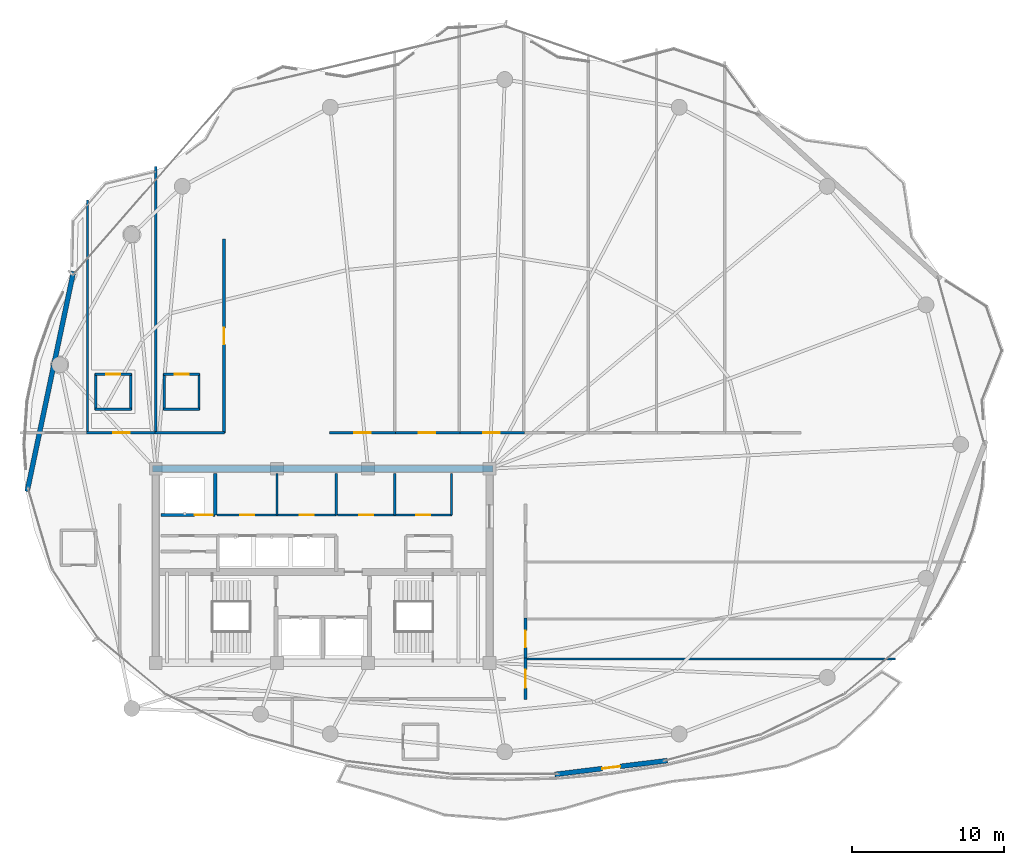
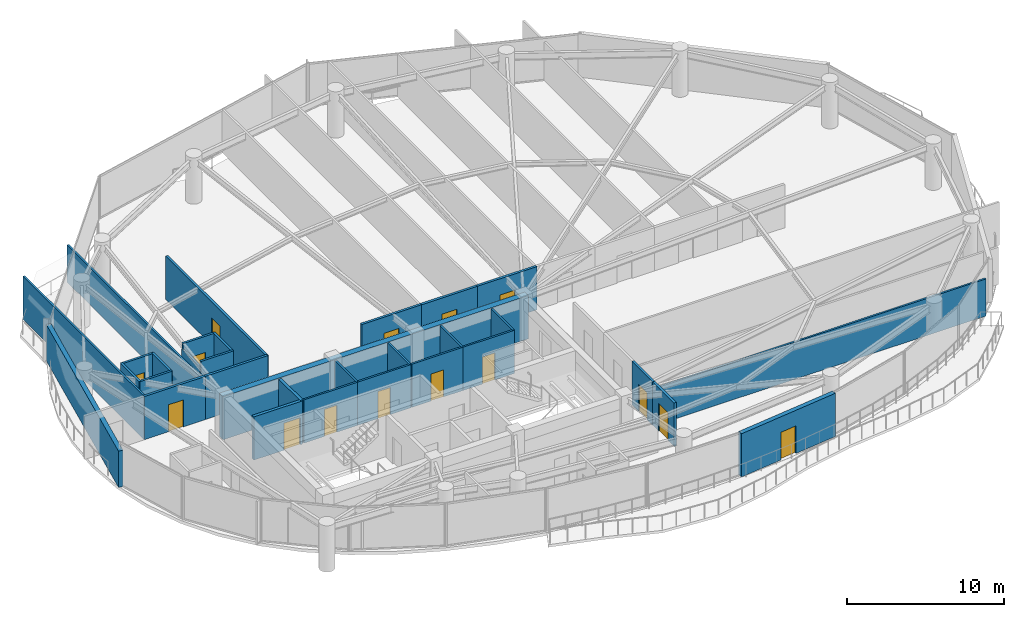
# One storey, part 24 of 29: 32 walls, 15 doors, 15 openings.
"""IFC4 building model written with IfcOpenShell, lengths in metres."""

from ifc_helpers import new_model, si_unit, direction, frame, frame_2d, origin, place, context, subcontext, project, spatial, rectangle, extrude, material, layer, layer_set, type_object, element, fill, save


model = new_model("IFC4")

# Units and contexts
model_context = context("Model", 3, precision=1e-05, world=origin(), true_north=direction((0.0, 1.0)))
body_context = subcontext(model_context, "Body", "Model", "MODEL_VIEW")
ifc_project = project(units=[si_unit("LENGTHUNIT", "METRE"), si_unit("AREAUNIT", "SQUARE_METRE"), si_unit("VOLUMEUNIT", "CUBIC_METRE"), si_unit("PLANEANGLEUNIT", "RADIAN"), si_unit("MASSUNIT", "GRAM", prefix="KILO")], contexts=[model_context])

# Site, building, storey
site_placement = place(None, origin())
site = spatial("IfcSite", under=ifc_project, at=site_placement, CompositionType="ELEMENT")
building_placement = place(site_placement, origin())
building = spatial("IfcBuilding", under=site, at=building_placement, Name="Kazevale Care Tower and Concert Hall", CompositionType="ELEMENT")
storey_placement = place(building_placement, frame((0.0, 0.0, 224.39990234375)))
storey = spatial("IfcBuildingStorey", under=building, at=storey_placement, Name="L59", CompositionType="ELEMENT", Elevation=224.39990234375)

# Wall, opening, door
ifc_material_1 = material(Name="Acoustic Gypsum on Steel Stud", Category="steel")
ifc_layer_1 = layer(ifc_material_1, 0.139892578125)
ifc_layer_set_1 = layer_set([ifc_layer_1], Name="Acoustic Gypsum on Steel Stud")
wall_type_1 = type_object("IfcWallType", Name="Acoustic Care & Suite Partition 140", PredefinedType="PARTITIONING", material=ifc_layer_set_1)
wall_1_placement = place(storey_placement, frame((26.050048828125, 33.35009765625, 0.0), z_axis=(0.0, 0.0, 1.0), x_axis=(1.0, 0.0, 0.0)))
wall_1 = element("IfcWall", 1, at=wall_1_placement, inside=storey, type_object=wall_type_1, Name="wall:L59:c_rpl1_s", PredefinedType="PARTITIONING", context=body_context, shape_type="SweptSolid", body=[
    extrude(rectangle(XDim=3.949951171875, YDim=0.139892578125, at=frame_2d((1.97509765625, 0.0))), origin(), (0.0, 0.0, 1.0), 3.360107421875),
])
opening_1_placement = place(wall_1_placement, frame((1.514892578125, 0.0, 0.0)))
opening_1 = element("IfcOpeningElement", 2, at=opening_1_placement, cuts=wall_1, Name="Opening ID-900", PredefinedType="OPENING", context=body_context, shape_type="SweptSolid", body=[
    extrude(rectangle(XDim=0.919921875, YDim=2.10009765625, at=frame_2d((0.4599609375, 1.050048828125))), frame((0.0, 0.079833984375, 0.0), z_axis=(0.0, -1.0, 0.0), x_axis=(1.0, 0.0, 0.0)), (0.0, 0.0, 1.0), 0.159912109375),
])
ifc_material_2 = material(Name="Oak Timber Fire Leaf", Category="wood")
door_type_1 = type_object("IfcDoorType", Name="Bathroom & Service Door 920x2100", OperationType="NOTDEFINED", PredefinedType="DOOR", material=ifc_material_2)
door_1_placement = place(opening_1_placement, origin())
door_1 = element("IfcDoor", 3, at=door_1_placement, inside=storey, type_object=door_type_1, Name="door:L59:d_rpl1", OperationType="SINGLE_SWING_LEFT", OverallHeight=2.10009765625, OverallWidth=0.919921875, PredefinedType="DOOR", context=body_context, shape_type="SweptSolid", body=[
    extrude(rectangle(XDim=0.919921875, YDim=2.10009765625, at=frame_2d((0.4599609375, 1.050048828125))), frame((0.0, 0.02490234375, 0.0), z_axis=(0.0, -1.0, 0.0), x_axis=(1.0, 0.0, 0.0)), (0.0, 0.0, 1.0), 0.050048828125),
])
fill(opening_1, door_1)

wall_2_placement = place(storey_placement, frame((30.0, 33.35009765625, 0.0), z_axis=(0.0, 0.0, 1.0), x_axis=(1.0, 0.0, 0.0)))
wall_2 = element("IfcWall", 4, at=wall_2_placement, inside=storey, type_object=wall_type_1, Name="wall:L59:c_rpl2_s", PredefinedType="PARTITIONING", context=body_context, shape_type="SweptSolid", body=[
    extrude(rectangle(XDim=3.919921875, YDim=0.139892578125, at=frame_2d((1.9599609375, 0.0))), origin(), (0.0, 0.0, 1.0), 3.360107421875),
])
opening_2_placement = place(wall_2_placement, frame((1.5, 0.0, 0.0)))
opening_2 = element("IfcOpeningElement", 5, at=opening_2_placement, cuts=wall_2, Name="Opening ID-900", PredefinedType="OPENING", context=body_context, shape_type="SweptSolid", body=[
    extrude(rectangle(XDim=0.919921875, YDim=2.10009765625, at=frame_2d((0.4599609375, 1.050048828125))), frame((0.0, 0.079833984375, 0.0), z_axis=(0.0, -1.0, 0.0), x_axis=(1.0, 0.0, 0.0)), (0.0, 0.0, 1.0), 0.159912109375),
])
door_2_placement = place(opening_2_placement, origin())
door_2 = element("IfcDoor", 6, at=door_2_placement, inside=storey, type_object=door_type_1, Name="door:L59:d_rpl2", OperationType="SINGLE_SWING_RIGHT", OverallHeight=2.10009765625, OverallWidth=0.919921875, PredefinedType="DOOR", context=body_context, shape_type="SweptSolid", body=[
    extrude(rectangle(XDim=0.919921875, YDim=2.10009765625, at=frame_2d((0.4599609375, 1.050048828125))), frame((0.0, 0.02490234375, 0.0), z_axis=(0.0, -1.0, 0.0), x_axis=(1.0, 0.0, 0.0)), (0.0, 0.0, 1.0), 0.050048828125),
])
fill(opening_2, door_2)

# Walls
for number, where, z_axis, x_axis, name in (
    (7, (30.0, 33.35009765625, 0.0), (0.0, 0.0, 1.0), (0.0, 1.0, 0.0), "wall:L59:c_rpl_m"),
    (8, (33.89990234375, 33.35009765625, 0.0), (0.0, 0.0, 1.0), (0.0, 1.0, 0.0), "wall:L59:c_rpl_e"),
):
    element("IfcWall", number, at=place(storey_placement, frame(where, z_axis=z_axis, x_axis=x_axis)), inside=storey, type_object=wall_type_1, Name=name, PredefinedType="PARTITIONING", context=body_context, shape_type="SweptSolid", body=[
        extrude(rectangle(XDim=2.75, YDim=0.139892578125, at=frame_2d((1.375, 0.0))), origin(), (0.0, 0.0, 1.0), 3.360107421875),
    ])

# Wall, opening, door
wall_3_placement = place(storey_placement, frame((33.97998046875, 33.35009765625, 0.0), z_axis=(0.0, 0.0, 1.0), x_axis=(1.0, 0.0, 0.0)))
wall_3 = element("IfcWall", 9, at=wall_3_placement, inside=storey, type_object=wall_type_1, Name="wall:L59:c_rpm1_s", PredefinedType="PARTITIONING", context=body_context, shape_type="SweptSolid", body=[
    extrude(rectangle(XDim=3.77001953125, YDim=0.139892578125, at=frame_2d((1.885009765625, 0.0))), origin(), (0.0, 0.0, 1.0), 3.360107421875),
])
opening_3_placement = place(wall_3_placement, frame((1.425048828125, 0.0, 0.0)))
opening_3 = element("IfcOpeningElement", 10, at=opening_3_placement, cuts=wall_3, Name="Opening ID-900", PredefinedType="OPENING", context=body_context, shape_type="SweptSolid", body=[
    extrude(rectangle(XDim=0.919921875, YDim=2.10009765625, at=frame_2d((0.4599609375, 1.050048828125))), frame((0.0, 0.079833984375, 0.0), z_axis=(0.0, -1.0, 0.0), x_axis=(1.0, 0.0, 0.0)), (0.0, 0.0, 1.0), 0.159912109375),
])
door_3_placement = place(opening_3_placement, origin())
door_3 = element("IfcDoor", 11, at=door_3_placement, inside=storey, type_object=door_type_1, Name="door:L59:d_rpm1", OperationType="SINGLE_SWING_LEFT", OverallHeight=2.10009765625, OverallWidth=0.919921875, PredefinedType="DOOR", context=body_context, shape_type="SweptSolid", body=[
    extrude(rectangle(XDim=0.919921875, YDim=2.10009765625, at=frame_2d((0.4599609375, 1.050048828125))), frame((0.0, 0.02490234375, 0.0), z_axis=(0.0, -1.0, 0.0), x_axis=(1.0, 0.0, 0.0)), (0.0, 0.0, 1.0), 0.050048828125),
])
fill(opening_3, door_3)

wall_4_placement = place(storey_placement, frame((37.75, 33.35009765625, 0.0), z_axis=(0.0, 0.0, 1.0), x_axis=(1.0, 0.0, 0.0)))
wall_4 = element("IfcWall", 12, at=wall_4_placement, inside=storey, type_object=wall_type_1, Name="wall:L59:c_rpm2_s", PredefinedType="PARTITIONING", context=body_context, shape_type="SweptSolid", body=[
    extrude(rectangle(XDim=3.77001953125, YDim=0.139892578125, at=frame_2d((1.885009765625, 0.0))), origin(), (0.0, 0.0, 1.0), 3.360107421875),
])
opening_4_placement = place(wall_4_placement, frame((1.425048828125, 0.0, 0.0)))
opening_4 = element("IfcOpeningElement", 13, at=opening_4_placement, cuts=wall_4, Name="Opening ID-900", PredefinedType="OPENING", context=body_context, shape_type="SweptSolid", body=[
    extrude(rectangle(XDim=0.919921875, YDim=2.10009765625, at=frame_2d((0.4599609375, 1.050048828125))), frame((0.0, 0.079833984375, 0.0), z_axis=(0.0, -1.0, 0.0), x_axis=(1.0, 0.0, 0.0)), (0.0, 0.0, 1.0), 0.159912109375),
])
door_4_placement = place(opening_4_placement, origin())
door_4 = element("IfcDoor", 14, at=door_4_placement, inside=storey, type_object=door_type_1, Name="door:L59:d_rpm2", OperationType="SINGLE_SWING_RIGHT", OverallHeight=2.10009765625, OverallWidth=0.919921875, PredefinedType="DOOR", context=body_context, shape_type="SweptSolid", body=[
    extrude(rectangle(XDim=0.919921875, YDim=2.10009765625, at=frame_2d((0.4599609375, 1.050048828125))), frame((0.0, 0.02490234375, 0.0), z_axis=(0.0, -1.0, 0.0), x_axis=(1.0, 0.0, 0.0)), (0.0, 0.0, 1.0), 0.050048828125),
])
fill(opening_4, door_4)

# Walls
for number, where, z_axis, x_axis, name in (
    (15, (37.75, 33.35009765625, 0.0), (0.0, 0.0, 1.0), (0.0, 1.0, 0.0), "wall:L59:c_rpm_m"),
    (16, (41.5, 33.35009765625, 0.0), (0.0, 0.0, 1.0), (0.0, 1.0, 0.0), "wall:L59:c_rpm_e"),
):
    element("IfcWall", number, at=place(storey_placement, frame(where, z_axis=z_axis, x_axis=x_axis)), inside=storey, type_object=wall_type_1, Name=name, PredefinedType="PARTITIONING", context=body_context, shape_type="SweptSolid", body=[
        extrude(rectangle(XDim=2.75, YDim=0.139892578125, at=frame_2d((1.375, 0.0))), origin(), (0.0, 0.0, 1.0), 3.360107421875),
    ])
wall_5_placement = place(storey_placement, frame((17.5, 54.115966796875, 0.0), z_axis=(0.0, 0.0, 1.0), x_axis=(0.0, -1.0, 0.0)))
element("IfcWall", 17, at=wall_5_placement, inside=storey, type_object=wall_type_1, Name="wall:L59:auto_019", PredefinedType="PARTITIONING", context=body_context, shape_type="SweptSolid", body=[
    extrude(rectangle(XDim=15.370849609375, YDim=0.139892578125, at=frame_2d((7.685546875, 0.0))), origin(), (0.0, 0.0, 1.0), 3.360107421875),
])
wall_6_placement = place(storey_placement, frame((22.0, 56.31396484375, 0.0), z_axis=(0.0, 0.0, 1.0), x_axis=(0.0, -1.0, 0.0)))
element("IfcWall", 18, at=wall_6_placement, inside=storey, type_object=wall_type_1, Name="wall:L59:auto_020", PredefinedType="PARTITIONING", context=body_context, shape_type="SweptSolid", body=[
    extrude(rectangle(XDim=17.56884765625, YDim=0.139892578125, at=frame_2d((8.784423828125, 0.0))), origin(), (0.0, 0.0, 1.0), 2.89013671875),
])
wall_7_placement = place(storey_placement, frame((46.344970703125, 23.860107421875, 0.0), z_axis=(0.0, 0.0, 1.0), x_axis=(1.0, 0.0, 0.0)))
element("IfcWall", 19, at=wall_7_placement, inside=storey, type_object=wall_type_1, Name="wall:L59:auto_027", PredefinedType="PARTITIONING", context=body_context, shape_type="SweptSolid", body=[
    extrude(rectangle(XDim=24.39306640625, YDim=0.139892578125, at=frame_2d((12.196533203125, 0.0))), origin(), (0.0, 0.0, 1.0), 2.89013671875),
])
ifc_material_3 = material(Name="Concrete C50", Category="concrete")
ifc_layer_2 = layer(ifc_material_3, 0.449951171875)
ifc_layer_set_2 = layer_set([ifc_layer_2], Name="Concrete C50")
wall_type_2 = type_object("IfcWallType", Name="Core Shear Wall 450 C50", PredefinedType="SHEAR", material=ifc_layer_set_2)
wall_8_placement = place(storey_placement, frame((21.77490234375, 36.39990234375, 0.0), z_axis=(0.0, 0.0, 1.0), x_axis=(1.0, 0.0, 0.0)))
element("IfcWall", 20, at=wall_8_placement, inside=storey, type_object=wall_type_2, Name="wall:L59:core:N", PredefinedType="SHEAR", context=body_context, shape_type="SweptSolid", body=[
    extrude(rectangle(XDim=22.4501953125, YDim=0.449951171875, at=frame_2d((11.22509765625, 0.0))), origin(), (0.0, 0.0, 1.0), 3.360107421875),
])
ifc_material_4 = material(Name="Concrete C40", Category="concrete")
ifc_layer_3 = layer(ifc_material_4, 0.219970703125)
ifc_layer_set_3 = layer_set([ifc_layer_3], Name="Concrete C40")
wall_type_3 = type_object("IfcWallType", Name="Elevator Hoistway Shaft Wall 220", PredefinedType="SOLIDWALL", material=ifc_layer_set_3)
wall_9_placement = place(storey_placement, frame((25.919921875, 33.35009765625, 0.0), z_axis=(0.0, 0.0, 1.0), x_axis=(0.0, 1.0, 0.0)))
element("IfcWall", 21, at=wall_9_placement, inside=storey, type_object=wall_type_3, Name="wall:L59:c_svl_e", PredefinedType="SOLIDWALL", context=body_context, shape_type="SweptSolid", body=[
    extrude(rectangle(XDim=2.72998046875, YDim=0.219970703125, at=frame_2d((1.364990234375, 0.0))), origin(), (0.0, 0.0, 1.0), 3.360107421875),
])

# Wall, opening, door
wall_10_placement = place(storey_placement, frame((22.35009765625, 33.35009765625, 0.0), z_axis=(0.0, 0.0, 1.0), x_axis=(1.0, 0.0, 0.0)))
wall_10 = element("IfcWall", 22, at=wall_10_placement, inside=storey, type_object=wall_type_3, Name="wall:L59:c_svl_s", PredefinedType="SOLIDWALL", context=body_context, shape_type="SweptSolid", body=[
    extrude(rectangle(XDim=3.56982421875, YDim=0.219970703125, at=frame_2d((1.784912109375, 0.0))), origin(), (0.0, 0.0, 1.0), 3.360107421875),
])
opening_5_placement = place(wall_10_placement, frame((2.212890625, 0.0, 0.0)))
opening_5 = element("IfcOpeningElement", 23, at=opening_5_placement, cuts=wall_10, Name="Opening LD-SV", PredefinedType="OPENING", context=body_context, shape_type="SweptSolid", body=[
    extrude(rectangle(XDim=1.199951171875, YDim=2.10009765625, at=frame_2d((0.60009765625, 1.050048828125))), frame((0.0, 0.119873046875, 0.0), z_axis=(0.0, -1.0, 0.0), x_axis=(1.0, 0.0, 0.0)), (0.0, 0.0, 1.0), 0.239990234375),
])
ifc_material_5 = material(Name="Stainless Steel 316", Category="steel")
door_type_2 = type_object("IfcDoorType", Name="Service Lift Sliding Landing Door 1200x2100", OperationType="NOTDEFINED", PredefinedType="DOOR", material=ifc_material_5)
door_5_placement = place(opening_5_placement, origin())
door_5 = element("IfcDoor", 24, at=door_5_placement, inside=storey, type_object=door_type_2, Name="door:L59:ld_svl1", OperationType="SLIDING_TO_LEFT", OverallHeight=2.10009765625, OverallWidth=1.199951171875, PredefinedType="DOOR", context=body_context, shape_type="SweptSolid", body=[
    extrude(rectangle(XDim=1.199951171875, YDim=2.10009765625, at=frame_2d((0.60009765625, 1.050048828125))), frame((0.0, 0.02490234375, 0.0), z_axis=(0.0, -1.0, 0.0), x_axis=(1.0, 0.0, 0.0)), (0.0, 0.0, 1.0), 0.050048828125),
])
fill(opening_5, door_5)

ifc_material_6 = material(Name="Concrete C40 and Acoustic Gypsum", Category="concrete")
ifc_layer_4 = layer(ifc_material_6, 0.179931640625)
ifc_layer_set_4 = layer_set([ifc_layer_4], Name="Concrete C40 and Acoustic Gypsum")
wall_type_4 = type_object("IfcWallType", Name="Fire-Rated Corridor & Party Wall 180", PredefinedType="PARTITIONING", material=ifc_layer_set_4)
wall_11_placement = place(storey_placement, frame((17.43505859375, 38.77490234375, 0.0), z_axis=(0.0, 0.0, 1.0), x_axis=(1.0, 0.0, 0.0)))
wall_11 = element("IfcWall", 25, at=wall_11_placement, inside=storey, type_object=wall_type_4, Name="wall:L59:auto_002", PredefinedType="PARTITIONING", context=body_context, shape_type="SweptSolid", body=[
    extrude(rectangle(XDim=4.6298828125, YDim=0.179931640625, at=frame_2d((2.31494140625, 0.0))), origin(), (0.0, 0.0, 1.0), 3.360107421875),
])
opening_6_placement = place(wall_11_placement, frame((1.764892578125, 0.0, 0.0)))
opening_6 = element("IfcOpeningElement", 26, at=opening_6_placement, cuts=wall_11, Name="Opening ID-1100", PredefinedType="OPENING", context=body_context, shape_type="SweptSolid", body=[
    extrude(rectangle(XDim=1.10009765625, YDim=2.10009765625, at=frame_2d((0.550048828125, 1.050048828125))), frame((0.0, 0.099853515625, 0.0), z_axis=(0.0, -1.0, 0.0), x_axis=(1.0, 0.0, 0.0)), (0.0, 0.0, 1.0), 0.199951171875),
])
door_type_3 = type_object("IfcDoorType", Name="Care Bedroom Accessible Door 1100x2100", OperationType="NOTDEFINED", PredefinedType="DOOR", material=ifc_material_2)
door_6_placement = place(opening_6_placement, origin())
door_6 = element("IfcDoor", 27, at=door_6_placement, inside=storey, type_object=door_type_3, Name="door:L59:ad_002", OperationType="SINGLE_SWING_LEFT", OverallHeight=2.10009765625, OverallWidth=1.10009765625, PredefinedType="DOOR", context=body_context, shape_type="SweptSolid", body=[
    extrude(rectangle(XDim=1.10009765625, YDim=2.10009765625, at=frame_2d((0.550048828125, 1.050048828125))), frame((0.0, 0.02490234375, 0.0), z_axis=(0.0, -1.0, 0.0), x_axis=(1.0, 0.0, 0.0)), (0.0, 0.0, 1.0), 0.050048828125),
])
fill(opening_6, door_6)

wall_12_placement = place(storey_placement, frame((26.5, 38.7451171875, 0.0), z_axis=(0.0, 0.0, 1.0), x_axis=(0.0, 1.0, 0.0)))
wall_12 = element("IfcWall", 28, at=wall_12_placement, inside=storey, type_object=wall_type_4, Name="wall:L59:auto_003", PredefinedType="PARTITIONING", context=body_context, shape_type="SweptSolid", body=[
    extrude(rectangle(XDim=12.784912109375, YDim=0.179931640625, at=frame_2d((6.392578125, 0.0))), origin(), (0.0, 0.0, 1.0), 3.360107421875),
])
opening_7_placement = place(wall_12_placement, frame((5.843017578125, 0.0, 0.0)))
opening_7 = element("IfcOpeningElement", 29, at=opening_7_placement, cuts=wall_12, Name="Opening ID-1100", PredefinedType="OPENING", context=body_context, shape_type="SweptSolid", body=[
    extrude(rectangle(XDim=1.10009765625, YDim=2.10009765625, at=frame_2d((0.550048828125, 1.050048828125))), frame((0.0, 0.099853515625, 0.0), z_axis=(0.0, -1.0, 0.0), x_axis=(1.0, 0.0, 0.0)), (0.0, 0.0, 1.0), 0.199951171875),
])
door_7_placement = place(opening_7_placement, origin())
door_7 = element("IfcDoor", 30, at=door_7_placement, inside=storey, type_object=door_type_3, Name="door:L59:ad_003", OperationType="SINGLE_SWING_LEFT", OverallHeight=2.10009765625, OverallWidth=1.10009765625, PredefinedType="DOOR", context=body_context, shape_type="SweptSolid", body=[
    extrude(rectangle(XDim=1.10009765625, YDim=2.10009765625, at=frame_2d((0.550048828125, 1.050048828125))), frame((0.0, 0.02490234375, 0.0), z_axis=(0.0, -1.0, 0.0), x_axis=(1.0, 0.0, 0.0)), (0.0, 0.0, 1.0), 0.050048828125),
])
fill(opening_7, door_7)

# Wall
wall_13_placement = place(storey_placement, frame((21.93505859375, 38.77490234375, 0.0), z_axis=(0.0, 0.0, 1.0), x_axis=(1.0, 0.0, 0.0)))
element("IfcWall", 31, at=wall_13_placement, inside=storey, type_object=wall_type_4, Name="wall:L59:auto_004", PredefinedType="PARTITIONING", context=body_context, shape_type="SweptSolid", body=[
    extrude(rectangle(XDim=4.594970703125, YDim=0.179931640625, at=frame_2d((2.29736328125, 0.0))), origin(), (0.0, 0.0, 1.0), 3.360107421875),
])

# Wall, opening, door
wall_14_placement = place(storey_placement, frame((33.43505859375, 38.77490234375, 0.0), z_axis=(0.0, 0.0, 1.0), x_axis=(1.0, 0.0, 0.0)))
wall_14 = element("IfcWall", 32, at=wall_14_placement, inside=storey, type_object=wall_type_4, Name="wall:L59:auto_005", PredefinedType="PARTITIONING", context=body_context, shape_type="SweptSolid", body=[
    extrude(rectangle(XDim=4.3798828125, YDim=0.179931640625, at=frame_2d((2.18994140625, 0.0))), origin(), (0.0, 0.0, 1.0), 3.360107421875),
])
opening_8_placement = place(wall_14_placement, frame((1.639892578125, 0.0, 0.0)))
opening_8 = element("IfcOpeningElement", 33, at=opening_8_placement, cuts=wall_14, Name="Opening ID-1100", PredefinedType="OPENING", context=body_context, shape_type="SweptSolid", body=[
    extrude(rectangle(XDim=1.10009765625, YDim=2.10009765625, at=frame_2d((0.550048828125, 1.050048828125))), frame((0.0, 0.099853515625, 0.0), z_axis=(0.0, -1.0, 0.0), x_axis=(1.0, 0.0, 0.0)), (0.0, 0.0, 1.0), 0.199951171875),
])
door_8_placement = place(opening_8_placement, origin())
door_8 = element("IfcDoor", 34, at=door_8_placement, inside=storey, type_object=door_type_3, Name="door:L59:ad_005", OperationType="SINGLE_SWING_LEFT", OverallHeight=2.10009765625, OverallWidth=1.10009765625, PredefinedType="DOOR", context=body_context, shape_type="SweptSolid", body=[
    extrude(rectangle(XDim=1.10009765625, YDim=2.10009765625, at=frame_2d((0.550048828125, 1.050048828125))), frame((0.0, 0.02490234375, 0.0), z_axis=(0.0, -1.0, 0.0), x_axis=(1.0, 0.0, 0.0)), (0.0, 0.0, 1.0), 0.050048828125),
])
fill(opening_8, door_8)

wall_15_placement = place(storey_placement, frame((37.68505859375, 38.77490234375, 0.0), z_axis=(0.0, 0.0, 1.0), x_axis=(1.0, 0.0, 0.0)))
wall_15 = element("IfcWall", 35, at=wall_15_placement, inside=storey, type_object=wall_type_4, Name="wall:L59:auto_006", PredefinedType="PARTITIONING", context=body_context, shape_type="SweptSolid", body=[
    extrude(rectangle(XDim=4.3798828125, YDim=0.179931640625, at=frame_2d((2.18994140625, 0.0))), origin(), (0.0, 0.0, 1.0), 3.360107421875),
])
opening_9_placement = place(wall_15_placement, frame((1.639892578125, 0.0, 0.0)))
opening_9 = element("IfcOpeningElement", 36, at=opening_9_placement, cuts=wall_15, Name="Opening ID-1100", PredefinedType="OPENING", context=body_context, shape_type="SweptSolid", body=[
    extrude(rectangle(XDim=1.10009765625, YDim=2.10009765625, at=frame_2d((0.550048828125, 1.050048828125))), frame((0.0, 0.099853515625, 0.0), z_axis=(0.0, -1.0, 0.0), x_axis=(1.0, 0.0, 0.0)), (0.0, 0.0, 1.0), 0.199951171875),
])
door_9_placement = place(opening_9_placement, origin())
door_9 = element("IfcDoor", 37, at=door_9_placement, inside=storey, type_object=door_type_3, Name="door:L59:ad_006", OperationType="SINGLE_SWING_LEFT", OverallHeight=2.10009765625, OverallWidth=1.10009765625, PredefinedType="DOOR", context=body_context, shape_type="SweptSolid", body=[
    extrude(rectangle(XDim=1.10009765625, YDim=2.10009765625, at=frame_2d((0.550048828125, 1.050048828125))), frame((0.0, 0.02490234375, 0.0), z_axis=(0.0, -1.0, 0.0), x_axis=(1.0, 0.0, 0.0)), (0.0, 0.0, 1.0), 0.050048828125),
])
fill(opening_9, door_9)

wall_16_placement = place(storey_placement, frame((41.93505859375, 38.77490234375, 0.0), z_axis=(0.0, 0.0, 1.0), x_axis=(1.0, 0.0, 0.0)))
wall_16 = element("IfcWall", 38, at=wall_16_placement, inside=storey, type_object=wall_type_4, Name="wall:L59:auto_007", PredefinedType="PARTITIONING", context=body_context, shape_type="SweptSolid", body=[
    extrude(rectangle(XDim=4.3798828125, YDim=0.179931640625, at=frame_2d((2.18994140625, 0.0))), origin(), (0.0, 0.0, 1.0), 3.360107421875),
])
opening_10_placement = place(wall_16_placement, frame((1.639892578125, 0.0, 0.0)))
opening_10 = element("IfcOpeningElement", 39, at=opening_10_placement, cuts=wall_16, Name="Opening ID-1100", PredefinedType="OPENING", context=body_context, shape_type="SweptSolid", body=[
    extrude(rectangle(XDim=1.10009765625, YDim=2.10009765625, at=frame_2d((0.550048828125, 1.050048828125))), frame((0.0, 0.099853515625, 0.0), z_axis=(0.0, -1.0, 0.0), x_axis=(1.0, 0.0, 0.0)), (0.0, 0.0, 1.0), 0.199951171875),
])
door_10_placement = place(opening_10_placement, origin())
door_10 = element("IfcDoor", 40, at=door_10_placement, inside=storey, type_object=door_type_3, Name="door:L59:ad_007", OperationType="SINGLE_SWING_LEFT", OverallHeight=2.10009765625, OverallWidth=1.10009765625, PredefinedType="DOOR", context=body_context, shape_type="SweptSolid", body=[
    extrude(rectangle(XDim=1.10009765625, YDim=2.10009765625, at=frame_2d((0.550048828125, 1.050048828125))), frame((0.0, 0.02490234375, 0.0), z_axis=(0.0, -1.0, 0.0), x_axis=(1.0, 0.0, 0.0)), (0.0, 0.0, 1.0), 0.050048828125),
])
fill(opening_10, door_10)

wall_17_placement = place(storey_placement, frame((46.375, 23.925048828125, 0.0), z_axis=(0.0, 0.0, 1.0), x_axis=(0.0, -1.0, 0.0)))
wall_17 = element("IfcWall", 41, at=wall_17_placement, inside=storey, type_object=wall_type_4, Name="wall:L59:auto_012", PredefinedType="PARTITIONING", context=body_context, shape_type="SweptSolid", body=[
    extrude(rectangle(XDim=2.72998046875, YDim=0.179931640625, at=frame_2d((1.364990234375, 0.0))), origin(), (0.0, 0.0, 1.0), 3.360107421875),
])
opening_11_placement = place(wall_17_placement, frame((0.764892578125, 0.0, 0.0)))
opening_11 = element("IfcOpeningElement", 42, at=opening_11_placement, cuts=wall_17, Name="Opening ID-1200", PredefinedType="OPENING", context=body_context, shape_type="SweptSolid", body=[
    extrude(rectangle(XDim=1.199951171875, YDim=2.14990234375, at=frame_2d((0.60009765625, 1.074951171875))), frame((0.0, 0.099853515625, 0.0), z_axis=(0.0, -1.0, 0.0), x_axis=(1.0, 0.0, 0.0)), (0.0, 0.0, 1.0), 0.199951171875),
])
door_type_4 = type_object("IfcDoorType", Name="Clinical & Therapy Door 1200x2150", OperationType="NOTDEFINED", PredefinedType="DOOR", material=ifc_material_2)
door_11_placement = place(opening_11_placement, origin())
door_11 = element("IfcDoor", 43, at=door_11_placement, inside=storey, type_object=door_type_4, Name="door:L59:ad_012", OperationType="SINGLE_SWING_LEFT", OverallHeight=2.14990234375, OverallWidth=1.199951171875, PredefinedType="DOOR", context=body_context, shape_type="SweptSolid", body=[
    extrude(rectangle(XDim=1.199951171875, YDim=2.14990234375, at=frame_2d((0.60009765625, 1.074951171875))), frame((0.0, 0.02490234375, 0.0), z_axis=(0.0, -1.0, 0.0), x_axis=(1.0, 0.0, 0.0)), (0.0, 0.0, 1.0), 0.050048828125),
])
fill(opening_11, door_11)

wall_18_placement = place(storey_placement, frame((46.375, 26.56494140625, 0.0), z_axis=(0.0, 0.0, 1.0), x_axis=(0.0, -1.0, 0.0)))
wall_18 = element("IfcWall", 44, at=wall_18_placement, inside=storey, type_object=wall_type_4, Name="wall:L59:auto_013", PredefinedType="PARTITIONING", context=body_context, shape_type="SweptSolid", body=[
    extrude(rectangle(XDim=2.77001953125, YDim=0.179931640625, at=frame_2d((1.385009765625, 0.0))), origin(), (0.0, 0.0, 1.0), 3.360107421875),
])
opening_12_placement = place(wall_18_placement, frame((0.8349609375, 0.0, 0.0)))
opening_12 = element("IfcOpeningElement", 45, at=opening_12_placement, cuts=wall_18, Name="Opening ID-1100", PredefinedType="OPENING", context=body_context, shape_type="SweptSolid", body=[
    extrude(rectangle(XDim=1.10009765625, YDim=2.10009765625, at=frame_2d((0.550048828125, 1.050048828125))), frame((0.0, 0.099853515625, 0.0), z_axis=(0.0, -1.0, 0.0), x_axis=(1.0, 0.0, 0.0)), (0.0, 0.0, 1.0), 0.199951171875),
])
door_12_placement = place(opening_12_placement, origin())
door_12 = element("IfcDoor", 46, at=door_12_placement, inside=storey, type_object=door_type_3, Name="door:L59:ad_013", OperationType="SINGLE_SWING_LEFT", OverallHeight=2.10009765625, OverallWidth=1.10009765625, PredefinedType="DOOR", context=body_context, shape_type="SweptSolid", body=[
    extrude(rectangle(XDim=1.10009765625, YDim=2.10009765625, at=frame_2d((0.550048828125, 1.050048828125))), frame((0.0, 0.02490234375, 0.0), z_axis=(0.0, -1.0, 0.0), x_axis=(1.0, 0.0, 0.0)), (0.0, 0.0, 1.0), 0.050048828125),
])
fill(opening_12, door_12)

# Wall
ifc_layer_5 = layer(ifc_material_1, 0.159912109375)
ifc_layer_set_5 = layer_set([ifc_layer_5], Name="Acoustic Gypsum on Steel Stud")
wall_type_5 = type_object("IfcWallType", Name="Moisture-Resistant Bathroom Plumbing Wall 160", PredefinedType="PLUMBINGWALL", material=ifc_layer_set_5)
wall_19_placement = place(storey_placement, frame((18.010009765625, 40.324951171875, 0.0), z_axis=(0.0, 0.0, 1.0), x_axis=(1.0, 0.0, 0.0)))
element("IfcWall", 47, at=wall_19_placement, inside=storey, type_object=wall_type_5, Name="wall:L59:nb2a_ens_ws", PredefinedType="PLUMBINGWALL", context=body_context, shape_type="SweptSolid", body=[
    extrude(rectangle(XDim=2.3798828125, YDim=0.159912109375, at=frame_2d((1.18994140625, 0.0))), origin(), (0.0, 0.0, 1.0), 3.360107421875),
])

# Wall, opening, door
wall_20_placement = place(storey_placement, frame((18.010009765625, 42.625, 0.0), z_axis=(0.0, 0.0, 1.0), x_axis=(1.0, 0.0, 0.0)))
wall_20 = element("IfcWall", 48, at=wall_20_placement, inside=storey, type_object=wall_type_5, Name="wall:L59:nb2a_ens_wn", PredefinedType="PLUMBINGWALL", context=body_context, shape_type="SweptSolid", body=[
    extrude(rectangle(XDim=2.3798828125, YDim=0.159912109375, at=frame_2d((1.18994140625, 0.0))), origin(), (0.0, 0.0, 1.0), 3.360107421875),
])
opening_13_placement = place(wall_20_placement, frame((0.739990234375, 0.0, 0.0)))
opening_13 = element("IfcOpeningElement", 49, at=opening_13_placement, cuts=wall_20, Name="Opening ID-900", PredefinedType="OPENING", context=body_context, shape_type="SweptSolid", body=[
    extrude(rectangle(XDim=0.919921875, YDim=2.10009765625, at=frame_2d((0.4599609375, 1.050048828125))), frame((0.0, 0.08984375, 0.0), z_axis=(0.0, -1.0, 0.0), x_axis=(1.0, 0.0, 0.0)), (0.0, 0.0, 1.0), 0.179931640625),
])
door_13_placement = place(opening_13_placement, origin())
door_13 = element("IfcDoor", 50, at=door_13_placement, inside=storey, type_object=door_type_1, Name="door:L59:nb2a_ens_d", OperationType="SINGLE_SWING_LEFT", OverallHeight=2.10009765625, OverallWidth=0.919921875, PredefinedType="DOOR", context=body_context, shape_type="SweptSolid", body=[
    extrude(rectangle(XDim=0.919921875, YDim=2.10009765625, at=frame_2d((0.4599609375, 1.050048828125))), frame((0.0, 0.02490234375, 0.0), z_axis=(0.0, -1.0, 0.0), x_axis=(1.0, 0.0, 0.0)), (0.0, 0.0, 1.0), 0.050048828125),
])
fill(opening_13, door_13)

# Walls
for number, where, z_axis, x_axis, name in (
    (51, (18.050048828125, 40.284912109375, 0.0), (0.0, 0.0, 1.0), (0.0, 1.0, 0.0), "wall:L59:nb2a_ens_ww"),
    (52, (20.35009765625, 40.284912109375, 0.0), (0.0, 0.0, 1.0), (0.0, 1.0, 0.0), "wall:L59:nb2a_ens_we"),
):
    element("IfcWall", number, at=place(storey_placement, frame(where, z_axis=z_axis, x_axis=x_axis)), inside=storey, type_object=wall_type_5, Name=name, PredefinedType="PLUMBINGWALL", context=body_context, shape_type="SweptSolid", body=[
        extrude(rectangle(XDim=2.380126953125, YDim=0.159912109375, at=frame_2d((1.18994140625, 0.0))), origin(), (0.0, 0.0, 1.0), 3.360107421875),
    ])
wall_21_placement = place(storey_placement, frame((22.510009765625, 40.324951171875, 0.0), z_axis=(0.0, 0.0, 1.0), x_axis=(1.0, 0.0, 0.0)))
element("IfcWall", 53, at=wall_21_placement, inside=storey, type_object=wall_type_5, Name="wall:L59:nb2b_ens_ws", PredefinedType="PLUMBINGWALL", context=body_context, shape_type="SweptSolid", body=[
    extrude(rectangle(XDim=2.3798828125, YDim=0.159912109375, at=frame_2d((1.18994140625, 0.0))), origin(), (0.0, 0.0, 1.0), 3.360107421875),
])

# Wall, opening, door
wall_22_placement = place(storey_placement, frame((22.510009765625, 42.625, 0.0), z_axis=(0.0, 0.0, 1.0), x_axis=(1.0, 0.0, 0.0)))
wall_22 = element("IfcWall", 54, at=wall_22_placement, inside=storey, type_object=wall_type_5, Name="wall:L59:nb2b_ens_wn", PredefinedType="PLUMBINGWALL", context=body_context, shape_type="SweptSolid", body=[
    extrude(rectangle(XDim=2.3798828125, YDim=0.159912109375, at=frame_2d((1.18994140625, 0.0))), origin(), (0.0, 0.0, 1.0), 3.360107421875),
])
opening_14_placement = place(wall_22_placement, frame((0.739990234375, 0.0, 0.0)))
opening_14 = element("IfcOpeningElement", 55, at=opening_14_placement, cuts=wall_22, Name="Opening ID-900", PredefinedType="OPENING", context=body_context, shape_type="SweptSolid", body=[
    extrude(rectangle(XDim=0.919921875, YDim=2.10009765625, at=frame_2d((0.4599609375, 1.050048828125))), frame((0.0, 0.08984375, 0.0), z_axis=(0.0, -1.0, 0.0), x_axis=(1.0, 0.0, 0.0)), (0.0, 0.0, 1.0), 0.179931640625),
])
door_14_placement = place(opening_14_placement, origin())
door_14 = element("IfcDoor", 56, at=door_14_placement, inside=storey, type_object=door_type_1, Name="door:L59:nb2b_ens_d", OperationType="SINGLE_SWING_RIGHT", OverallHeight=2.10009765625, OverallWidth=0.919921875, PredefinedType="DOOR", context=body_context, shape_type="SweptSolid", body=[
    extrude(rectangle(XDim=0.919921875, YDim=2.10009765625, at=frame_2d((0.4599609375, 1.050048828125))), frame((0.0, 0.02490234375, 0.0), z_axis=(0.0, -1.0, 0.0), x_axis=(1.0, 0.0, 0.0)), (0.0, 0.0, 1.0), 0.050048828125),
])
fill(opening_14, door_14)

# Walls
wall_23_placement = place(storey_placement, frame((22.550048828125, 40.284912109375, 0.0), z_axis=(0.0, 0.0, 1.0), x_axis=(0.0, 1.0, 0.0)))
element("IfcWall", 57, at=wall_23_placement, inside=storey, type_object=wall_type_5, Name="wall:L59:nb2b_ens_ww", PredefinedType="PLUMBINGWALL", context=body_context, shape_type="SweptSolid", body=[
    extrude(rectangle(XDim=2.380126953125, YDim=0.159912109375, at=frame_2d((1.18994140625, 0.0))), origin(), (0.0, 0.0, 1.0), 2.89013671875),
])
wall_24_placement = place(storey_placement, frame((24.85009765625, 40.284912109375, 0.0), z_axis=(0.0, 0.0, 1.0), x_axis=(0.0, 1.0, 0.0)))
element("IfcWall", 58, at=wall_24_placement, inside=storey, type_object=wall_type_5, Name="wall:L59:nb2b_ens_we", PredefinedType="PLUMBINGWALL", context=body_context, shape_type="SweptSolid", body=[
    extrude(rectangle(XDim=2.380126953125, YDim=0.159912109375, at=frame_2d((1.18994140625, 0.0))), origin(), (0.0, 0.0, 1.0), 3.360107421875),
])

# Wall, opening, door
ifc_material_7 = material(Name="Concrete C40 with Honed Limestone Cladding", Category="masonry")
ifc_layer_6 = layer(ifc_material_7, 0.320068359375)
ifc_layer_set_6 = layer_set([ifc_layer_6], Name="Concrete C40 with Honed Limestone Cladding")
wall_type_6 = type_object("IfcWallType", Name="Tower Honed Limestone Spandrel Wall 320", PredefinedType="STANDARD", material=ifc_layer_set_6)
wall_25_placement = place(storey_placement, frame((55.72705078125, 17.1650390625, 0.0), z_axis=(0.0, 0.0, 1.0), x_axis=(-0.992559081031, -0.121763995755, 0.0)))
wall_25 = element("IfcWall", 59, at=wall_25_placement, inside=storey, type_object=wall_type_6, Name="wall:L59:bal_host", PredefinedType="STANDARD", context=body_context, shape_type="SweptSolid", body=[
    extrude(rectangle(XDim=7.49072265625, YDim=0.320068359375, at=frame_2d((3.745361328125, 0.0))), origin(), (0.0, 0.0, 1.0), 3.360107421875),
])
opening_15_placement = place(wall_25_placement, frame((3.14501953125, 0.0, 0.0)))
opening_15 = element("IfcOpeningElement", 60, at=opening_15_placement, cuts=wall_25, Name="Opening BD-1200", PredefinedType="OPENING", context=body_context, shape_type="SweptSolid", body=[
    extrude(rectangle(XDim=1.199951171875, YDim=2.14990234375, at=frame_2d((0.60009765625, 1.074951171875))), frame((0.0, 0.169921875, 0.0), z_axis=(0.0, -1.0, 0.0), x_axis=(1.0, 0.0, 0.0)), (0.0, 0.0, 1.0), 0.340087890625),
])
ifc_material_8 = material(Name="Aluminium 6063-T6 and Low-E Glass", Category="aluminium")
door_type_5 = type_object("IfcDoorType", Name="Sheltered Balcony Glazed Door 1200x2150", OperationType="NOTDEFINED", PredefinedType="DOOR", material=ifc_material_8)
door_15_placement = place(opening_15_placement, origin())
door_15 = element("IfcDoor", 61, at=door_15_placement, inside=storey, type_object=door_type_5, Name="door:L59:BD-1", OperationType="SINGLE_SWING_LEFT", OverallHeight=2.14990234375, OverallWidth=1.199951171875, PredefinedType="DOOR", context=body_context, shape_type="SweptSolid", body=[
    extrude(rectangle(XDim=1.199951171875, YDim=2.14990234375, at=frame_2d((0.60009765625, 1.074951171875))), frame((0.0, 0.02490234375, 0.0), z_axis=(0.0, -1.0, 0.0), x_axis=(1.0, 0.0, 0.0)), (0.0, 0.0, 1.0), 0.050048828125),
])
fill(opening_15, door_15)

# Wall
wall_26_placement = place(storey_placement, frame((13.52490234375, 34.903076171875, 0.0), z_axis=(0.0, 0.0, 1.0), x_axis=(0.206301080321, 0.978488561128, 0.0)))
element("IfcWall", 62, at=wall_26_placement, inside=storey, type_object=wall_type_6, Name="wall:cw:L59:f13", PredefinedType="STANDARD", context=body_context, shape_type="SweptSolid", body=[
    extrude(rectangle(XDim=14.81884765625, YDim=0.320068359375, at=frame_2d((7.409423828125, 0.0))), origin(), (0.0, 0.0, 1.0), 2.817138671875),
])

save(model, "model.ifc")
